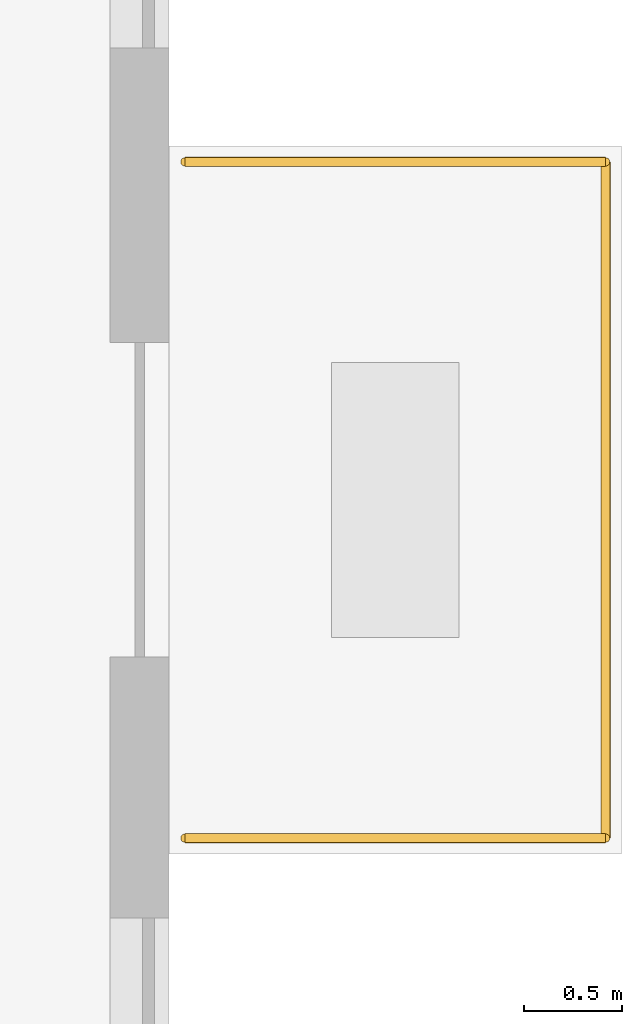
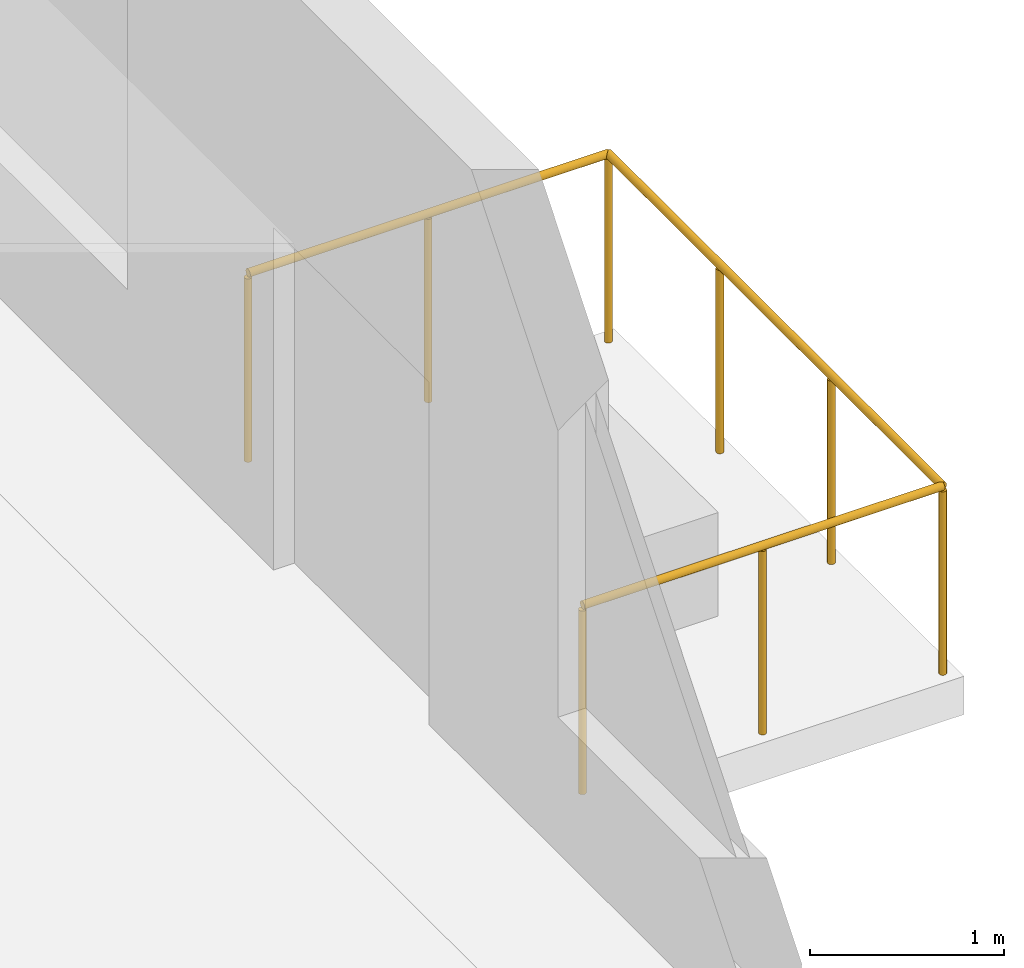
# One storey, part 11 of 11: 3 railings.
"""IFC4 building model written with IfcOpenShell, lengths in metres."""

from ifc_helpers import new_model, si_unit, direction, frame, origin, origin_2d, place, context, subcontext, project, spatial, circle, extrude, material, type_object, element, save


model = new_model("IFC4")

# Units and contexts
model_context = context("Model", 3, precision=1e-05, world=origin(), true_north=direction((0.0, 1.0)))
body_context = subcontext(model_context, "Body", "Model", "MODEL_VIEW")
ifc_project = project(units=[si_unit("LENGTHUNIT", "METRE"), si_unit("AREAUNIT", "SQUARE_METRE"), si_unit("VOLUMEUNIT", "CUBIC_METRE"), si_unit("PLANEANGLEUNIT", "RADIAN"), si_unit("MASSUNIT", "GRAM", prefix="KILO")], contexts=[model_context])

# Site, building, storey
site_placement = place(None, origin())
site = spatial("IfcSite", under=ifc_project, at=site_placement, CompositionType="ELEMENT")
building_placement = place(site_placement, origin())
building = spatial("IfcBuilding", under=site, at=building_placement, Name="Calvemar Wedge Station Tower", CompositionType="ELEMENT")
storey_placement = place(building_placement, frame((0.0, 0.0, 79.0)))
storey = spatial("IfcBuildingStorey", under=building, at=storey_placement, Name="L19", CompositionType="ELEMENT", Elevation=79.0)

# Railings
ifc_material = material(Name="Stainless steel AISI 316L", Category="steel")
railing_type = type_object("IfcRailingType", Name="GRD-TERR-1200", PredefinedType="GUARDRAIL", material=ifc_material)
railing_1_placement = place(storey_placement, frame((56.280029296875, 41.097900390625, 0.0)))
element("IfcRailing", 1, at=railing_1_placement, inside=storey, type_object=railing_type, Name="Storey L19 Spiral Terrace Guard 2", PredefinedType="GUARDRAIL", context=body_context, shape_type="SweptSolid", body=[
    extrude(circle(Radius=0.02392578125, at=origin_2d()), frame((0.0, 0.0, 1.17578125), z_axis=(1.0, 0.0, 0.0), x_axis=(0.0, 1.0, 0.0)), (0.0, 0.0, 1.0), 2.139892578125),
    extrude(circle(Radius=0.02099609375, at=origin_2d()), origin(), (0.0, 0.0, 1.0), 1.15185546875),
    extrude(circle(Radius=0.02099609375, at=origin_2d()), frame((1.06982421875, 0.0, 0.0)), (0.0, 0.0, 1.0), 1.15185546875),
    extrude(circle(Radius=0.02099609375, at=origin_2d()), frame((2.139892578125, 0.0, 0.0)), (0.0, 0.0, 1.0), 1.15185546875),
])
railing_2_placement = place(storey_placement, frame((58.419921875, 41.097900390625, 0.0)))
element("IfcRailing", 2, at=railing_2_placement, inside=storey, type_object=railing_type, Name="Storey L19 Spiral Terrace Guard 3", PredefinedType="GUARDRAIL", context=body_context, shape_type="SweptSolid", body=[
    extrude(circle(Radius=0.02392578125, at=origin_2d()), frame((0.0, 0.0, 1.17578125), z_axis=(0.0, -1.0, 0.0), x_axis=(1.0, 0.0, 0.0)), (0.0, 0.0, 1.0), 3.43994140625),
    extrude(circle(Radius=0.02099609375, at=origin_2d()), origin(), (0.0, 0.0, 1.0), 1.15185546875),
    extrude(circle(Radius=0.02099609375, at=origin_2d()), frame((0.0, -1.146728515625, 0.0)), (0.0, 0.0, 1.0), 1.15185546875),
    extrude(circle(Radius=0.02099609375, at=origin_2d()), frame((0.0, -2.293212890625, 0.0)), (0.0, 0.0, 1.0), 1.15185546875),
    extrude(circle(Radius=0.02099609375, at=origin_2d()), frame((0.0, -3.43994140625, 0.0)), (0.0, 0.0, 1.0), 1.15185546875),
])
railing_3_placement = place(storey_placement, frame((58.419921875, 37.657958984375, 0.0)))
element("IfcRailing", 3, at=railing_3_placement, inside=storey, type_object=railing_type, Name="Storey L19 Spiral Terrace Guard 4", PredefinedType="GUARDRAIL", context=body_context, shape_type="SweptSolid", body=[
    extrude(circle(Radius=0.02392578125, at=origin_2d()), frame((0.0, 0.0, 1.17578125), z_axis=(-1.0, 0.0, 0.0), x_axis=(0.0, -1.0, 0.0)), (0.0, 0.0, 1.0), 2.139892578125),
    extrude(circle(Radius=0.02099609375, at=origin_2d()), origin(), (0.0, 0.0, 1.0), 1.15185546875),
    extrude(circle(Radius=0.02099609375, at=origin_2d()), frame((-1.06982421875, 0.0, 0.0)), (0.0, 0.0, 1.0), 1.15185546875),
    extrude(circle(Radius=0.02099609375, at=origin_2d()), frame((-2.139892578125, 0.0, 0.0)), (0.0, 0.0, 1.0), 1.15185546875),
])

save(model, "model.ifc")
